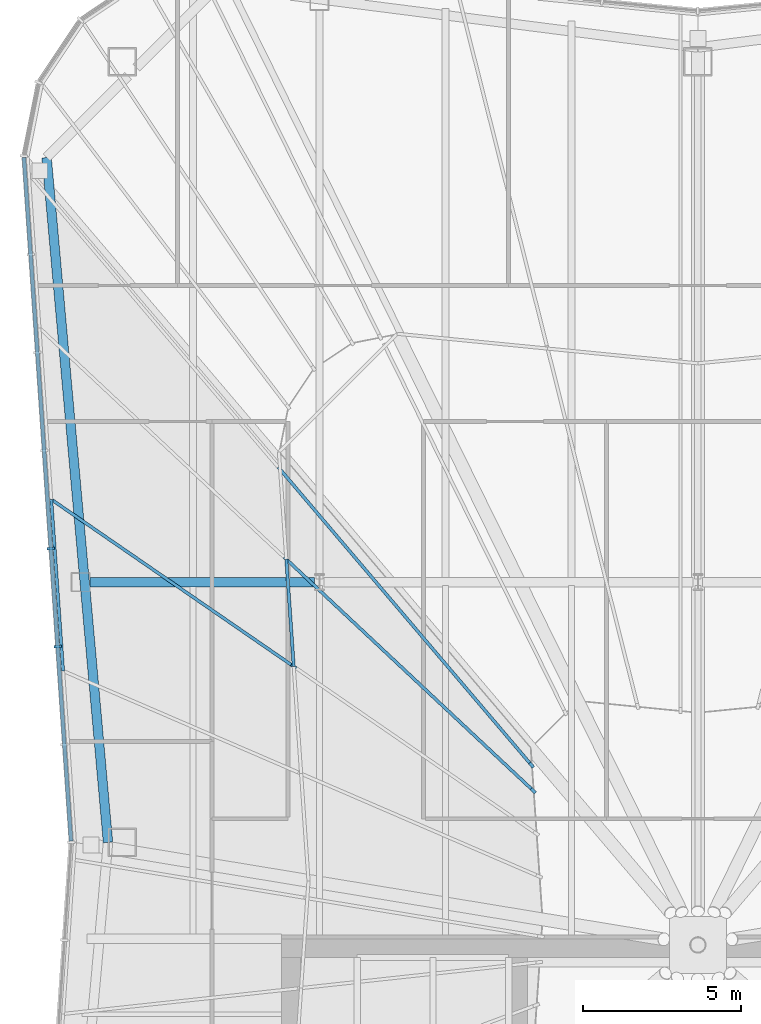
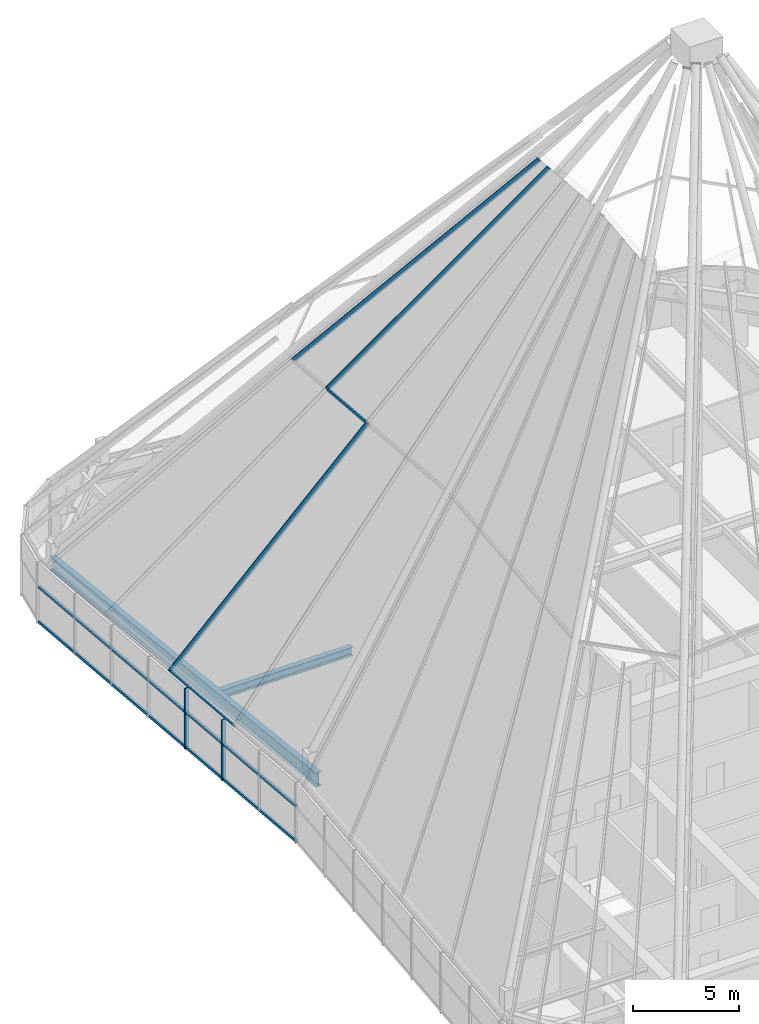
# One storey, part 12 of 28: 9 members, 2 beams, 4 elements without a shape of their own.
"""IFC4 building model written with IfcOpenShell, lengths in metres."""

from ifc_helpers import new_model, si_unit, direction, frame, origin, origin_2d, place, context, subcontext, project, spatial, rectangle, i_section, extrude, material, material_profile, profile_set, type_object, element, aggregate, save


model = new_model("IFC4")

# Units and contexts
model_context = context("Model", 3, precision=1e-05, world=origin(), true_north=direction((0.0, 1.0)))
body_context = subcontext(model_context, "Body", "Model", "MODEL_VIEW")
ifc_project = project(units=[si_unit("LENGTHUNIT", "METRE"), si_unit("AREAUNIT", "SQUARE_METRE"), si_unit("VOLUMEUNIT", "CUBIC_METRE"), si_unit("PLANEANGLEUNIT", "RADIAN"), si_unit("MASSUNIT", "GRAM", prefix="KILO")], contexts=[model_context])

# Site, building, storey
site_placement = place(None, origin())
site = spatial("IfcSite", under=ifc_project, at=site_placement, CompositionType="ELEMENT")
building_placement = place(site_placement, origin())
building = spatial("IfcBuilding", under=site, at=building_placement, Name="Verdant Reach Tower", CompositionType="ELEMENT")
storey_placement = place(building_placement, frame((0.0, 0.0, 368.0)))
storey = spatial("IfcBuildingStorey", under=building, at=storey_placement, Name="L83 Crown plant", CompositionType="ELEMENT", Elevation=368.0)

# Curtain wall, members
ifc_material_1 = material(Name="Anodised aluminium", Category="aluminium")
curtain_wall_type_1 = type_object("IfcCurtainWallType", Name="EN-CW SYSTEM PLANT", PredefinedType="NOTDEFINED", material=ifc_material_1)
curtain_wall_1_placement = place(storey_placement, origin())
curtain_wall_1 = element("IfcCurtainWall", 1, at=curtain_wall_1_placement, inside=storey, type_object=curtain_wall_type_1, Name="Curtain wall west, L83", PredefinedType="NOTDEFINED")
ifc_material_profile_1 = material_profile(ifc_material_1, rectangle(XDim=0.238037109375, YDim=0.080078125, at=origin_2d()), Name="Mullion 80x240")
ifc_profile_set_1 = profile_set([ifc_material_profile_1], Name="Anodised aluminium")
member_type_1 = type_object("IfcMemberType", Name="EN-MULLION PLANT", PredefinedType="MULLION", material=ifc_profile_set_1)
member_1_placement = place(storey_placement, frame((-20.511474609375, 50.563232421875, -0.35009765625), z_axis=(0.0, 0.0, 1.0), x_axis=(-0.997630328423, -0.068802091615, 0.0)))
member_1 = element("IfcMember", 2, at=member_1_placement, type_object=member_type_1, Name="Mullion west face part 1 5, L83", PredefinedType="MULLION", context=body_context, shape_type="SweptSolid", body=[
    extrude(rectangle(XDim=0.238037109375, YDim=0.080078125, at=origin_2d()), origin(), (0.0, 0.0, 1.0), 3.5),
])
member_2_placement = place(storey_placement, frame((-20.29736328125, 47.4560546875, -0.35009765625), z_axis=(0.0, 0.0, 1.0), x_axis=(-0.997630328423, -0.068802091615, 0.0)))
member_2 = element("IfcMember", 3, at=member_2_placement, type_object=member_type_1, Name="Mullion west face part 1 6, L83", PredefinedType="MULLION", context=body_context, shape_type="SweptSolid", body=[
    extrude(rectangle(XDim=0.238037109375, YDim=0.080078125, at=origin_2d()), origin(), (0.0, 0.0, 1.0), 3.5),
])

# Curtain wall, member
curtain_wall_type_2 = type_object("IfcCurtainWallType", Name="EN-CW SYSTEM CROWN APEX", PredefinedType="NOTDEFINED", material=ifc_material_1)
curtain_wall_2_placement = place(storey_placement, origin())
curtain_wall_2 = element("IfcCurtainWall", 4, at=curtain_wall_2_placement, inside=storey, type_object=curtain_wall_type_2, Name="Crown glazing unit west face part 1 3, level 01", PredefinedType="NOTDEFINED")
ifc_material_profile_2 = material_profile(ifc_material_1, rectangle(XDim=0.10009765625, YDim=0.239990234375, at=origin_2d()), Name="Mullion 100x240")
ifc_profile_set_2 = profile_set([ifc_material_profile_2], Name="Anodised aluminium")
member_type_2 = type_object("IfcMemberType", Name="EN-RIB MULLION CROWN", PredefinedType="MULLION", material=ifc_profile_set_2)
member_3_placement = place(storey_placement, frame((-20.5, 52.125, 3.14990234375), z_axis=(0.439588984251, -0.302887531832, 0.845588947412), x_axis=(0.567380903028, 0.823455469882, 0.0)))
member_3 = element("IfcMember", 5, at=member_3_placement, type_object=member_type_2, Name="Crown mullion west face part 1 3, level 01", PredefinedType="MULLION", context=body_context, shape_type="SweptSolid", body=[
    extrude(rectangle(XDim=0.10009765625, YDim=0.239990234375, at=origin_2d()), origin(), (0.0, 0.0, 1.0), 17.488037109375),
])

curtain_wall_3_placement = place(storey_placement, origin())
curtain_wall_3 = element("IfcCurtainWall", 6, at=curtain_wall_3_placement, inside=storey, type_object=curtain_wall_type_2, Name="Crown glazing unit west face part 1 1, level 02", PredefinedType="NOTDEFINED")
member_4_placement = place(storey_placement, frame((-13.243408203125, 53.076416015625, 17.9375), z_axis=(0.420087445434, -0.494220524039, 0.761099607021), x_axis=(0.761939317759, 0.647648420096, 0.0)))
member_4 = element("IfcMember", 7, at=member_4_placement, type_object=member_type_2, Name="Crown mullion west face part 1 1, level 02", PredefinedType="MULLION", context=body_context, shape_type="SweptSolid", body=[
    extrude(rectangle(XDim=0.10009765625, YDim=0.239990234375, at=origin_2d()), origin(), (0.0, 0.0, 1.0), 18.96923828125),
])
aggregate(curtain_wall_3, [member_4])

curtain_wall_4_placement = place(storey_placement, origin())
curtain_wall_4 = element("IfcCurtainWall", 8, at=curtain_wall_4_placement, inside=storey, type_object=curtain_wall_type_2, Name="Crown glazing unit west face part 1 2, level 02", PredefinedType="NOTDEFINED")
member_5_placement = place(storey_placement, frame((-13.046875, 50.2265625, 17.9375), z_axis=(0.435206952111, -0.407843640751, 0.802657133235), x_axis=(0.683795774699, 0.729673446484, 0.0)))
member_5 = element("IfcMember", 9, at=member_5_placement, type_object=member_type_2, Name="Crown mullion west face part 1 2, level 02", PredefinedType="MULLION", context=body_context, shape_type="SweptSolid", body=[
    extrude(rectangle(XDim=0.10009765625, YDim=0.239990234375, at=origin_2d()), origin(), (0.0, 0.0, 1.0), 17.987060546875),
])

# Member
ifc_material_profile_3 = material_profile(ifc_material_1, rectangle(XDim=0.10009765625, YDim=0.139892578125, at=origin_2d()), Name="Transom 140x100")
ifc_profile_set_3 = profile_set([ifc_material_profile_3], Name="Anodised aluminium")
member_type_3 = type_object("IfcMemberType", Name="EN-TRANSOM CROWN", PredefinedType="USERDEFINED", material=ifc_profile_set_3)
member_6_placement = place(storey_placement, frame((-20.5, 52.125, 3.14990234375), z_axis=(0.068802091615, -0.997630328423, 0.0), x_axis=(0.997630328423, 0.068802091615, 0.0)))
member_6 = element("IfcMember", 10, at=member_6_placement, type_object=member_type_3, Name="Crown transom west face part 1 3, level 01", ObjectType="TRANSOM", PredefinedType="USERDEFINED", context=body_context, shape_type="SweptSolid", body=[
    extrude(rectangle(XDim=0.10009765625, YDim=0.139892578125, at=origin_2d()), origin(), (0.0, 0.0, 1.0), 5.450439453125),
])

aggregate(curtain_wall_2, [member_3, member_6])

member_7_placement = place(storey_placement, frame((-13.046875, 50.2265625, 17.9375), z_axis=(0.068802091615, -0.997630328423, 0.0), x_axis=(0.997630328423, 0.068802091615, 0.0)))
member_7 = element("IfcMember", 11, at=member_7_placement, type_object=member_type_3, Name="Crown transom west face part 1 2, level 02", ObjectType="TRANSOM", PredefinedType="USERDEFINED", context=body_context, shape_type="SweptSolid", body=[
    extrude(rectangle(XDim=0.10009765625, YDim=0.139892578125, at=origin_2d()), origin(), (0.0, 0.0, 1.0), 3.406494140625),
])

aggregate(curtain_wall_4, [member_5, member_7])

ifc_material_profile_4 = material_profile(ifc_material_1, rectangle(XDim=0.1201171875, YDim=0.14990234375, at=origin_2d()), Name="Transom 150x120")
ifc_profile_set_4 = profile_set([ifc_material_profile_4], Name="Anodised aluminium")
member_type_4 = type_object("IfcMemberType", Name="EN-TRANSOM PLANT", PredefinedType="USERDEFINED", material=ifc_profile_set_4)
member_8_placement = place(storey_placement, frame((-21.365966796875, 62.9677734375, -0.27490234375), z_axis=(0.068761218296, -0.997633146431, 0.0), x_axis=(0.997633146431, 0.068761218296, 0.0)))
member_8 = element("IfcMember", 12, at=member_8_placement, type_object=member_type_4, Name="Transom west face part 1 1.1, L83", ObjectType="TRANSOM", PredefinedType="USERDEFINED", context=body_context, shape_type="SweptSolid", body=[
    extrude(rectangle(XDim=0.1201171875, YDim=0.14990234375, at=origin_2d()), origin(), (0.0, 0.0, 1.0), 21.7294921875),
])

member_9_placement = place(storey_placement, frame((-21.365966796875, 62.9677734375, 1.75), z_axis=(0.068761218296, -0.997633146431, 0.0), x_axis=(0.997633146431, 0.068761218296, 0.0)))
member_9 = element("IfcMember", 13, at=member_9_placement, type_object=member_type_4, Name="Transom west face part 1 1.2, L83", ObjectType="TRANSOM", PredefinedType="USERDEFINED", context=body_context, shape_type="SweptSolid", body=[
    extrude(rectangle(XDim=0.1201171875, YDim=0.14990234375, at=origin_2d()), origin(), (0.0, 0.0, 1.0), 21.7294921875),
])

aggregate(curtain_wall_1, [member_1, member_2, member_8, member_9])

# Beams
ifc_material_2 = material(Name="Steel S355", Category="steel")
ifc_material_profile_5 = material_profile(ifc_material_2, i_section(OverallWidth=0.300048828125, OverallDepth=0.489990234375, WebThickness=0.011962890625, FlangeThickness=0.02294921875, FilletRadius=0.027099609375, at=origin_2d()), Name="HEA 500")
ifc_profile_set_5 = profile_set([ifc_material_profile_5], Name="Steel S355")
beam_type_1 = type_object("IfcBeamType", Name="ST-BEAM-HEA500", PredefinedType="BEAM", material=ifc_profile_set_5)
beam_1_placement = place(storey_placement, frame((-19.26904296875, 49.5, 3.054931640625), z_axis=(1.0, 0.0, 0.0), x_axis=(0.0, 1.0, 0.0)))
element("IfcBeam", 14, at=beam_1_placement, inside=storey, type_object=beam_type_1, Name="Row girder, L83 Crown plant", PredefinedType="BEAM", context=body_context, shape_type="SweptSolid", body=[
    extrude(i_section(OverallWidth=0.300048828125, OverallDepth=0.489990234375, WebThickness=0.011962890625, FlangeThickness=0.02294921875, FilletRadius=0.027099609375, at=origin_2d()), origin(), (0.0, 0.0, 1.0), 7.115966796875),
])
ifc_material_profile_6 = material_profile(ifc_material_2, i_section(OverallWidth=0.300048828125, OverallDepth=0.800048828125, WebThickness=0.017578125, FlangeThickness=0.032958984375, FilletRadius=0.030029296875, at=origin_2d()), Name="HEB 800")
ifc_profile_set_6 = profile_set([ifc_material_profile_6], Name="Steel S355")
beam_type_2 = type_object("IfcBeamType", Name="ST-SPANDREL-HEB800", PredefinedType="SPANDREL", material=ifc_profile_set_6)
beam_2_placement = place(storey_placement, frame((-18.699951171875, 41.25, 2.89990234375), z_axis=(-0.089274399498, 0.996007069048, 0.0), x_axis=(-0.996007069048, -0.089274399498, 0.0)))
element("IfcBeam", 15, at=beam_2_placement, inside=storey, type_object=beam_type_2, Name="Edge beam, L83 Crown plant", PredefinedType="SPANDREL", context=body_context, shape_type="SweptSolid", body=[
    extrude(i_section(OverallWidth=0.300048828125, OverallDepth=0.800048828125, WebThickness=0.017578125, FlangeThickness=0.032958984375, FilletRadius=0.030029296875, at=origin_2d()), origin(), (0.0, 0.0, 1.0), 21.798583984375),
])

save(model, "model.ifc")
